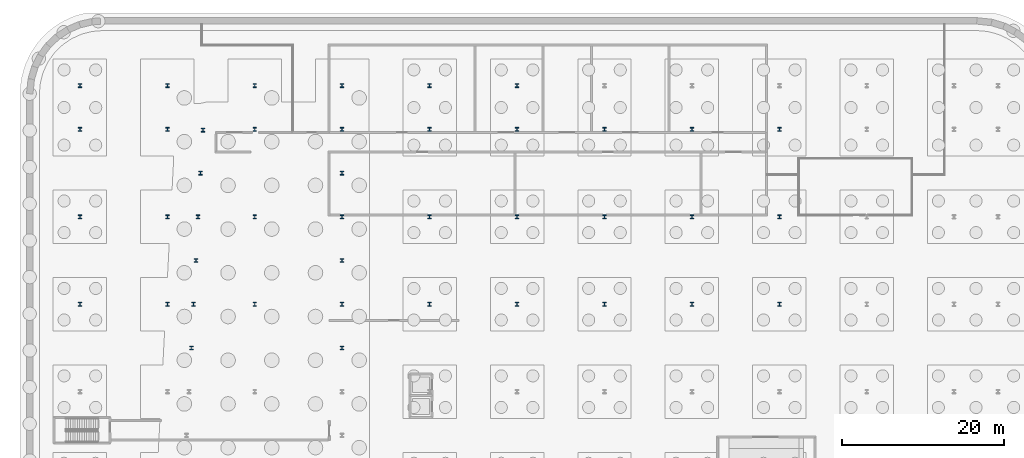
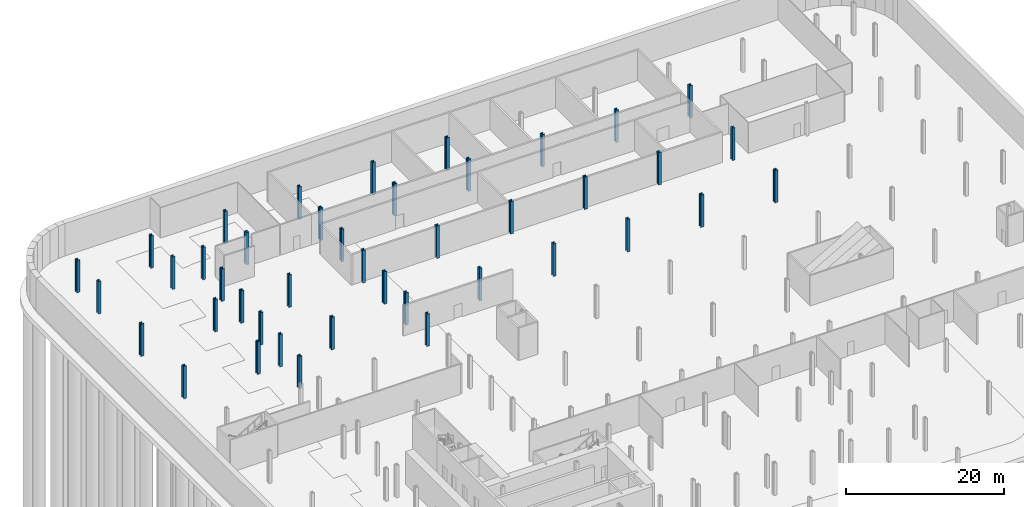
# One storey, part 6 of 23: 42 columns.
"""IFC4 building model written with IfcOpenShell, lengths in metres."""

from ifc_helpers import new_model, si_unit, direction, frame, origin, origin_2d, place, context, subcontext, project, spatial, i_section, extrude, material, material_profile, profile_set, type_object, element, save


model = new_model("IFC4")

# Units and contexts
model_context = context("Model", 3, precision=1e-05, world=origin(), true_north=direction((0.0, 1.0)))
body_context = subcontext(model_context, "Body", "Model", "MODEL_VIEW")
ifc_project = project(units=[si_unit("LENGTHUNIT", "METRE"), si_unit("AREAUNIT", "SQUARE_METRE"), si_unit("VOLUMEUNIT", "CUBIC_METRE"), si_unit("PLANEANGLEUNIT", "RADIAN"), si_unit("MASSUNIT", "GRAM", prefix="KILO")], contexts=[model_context])

# Site, building, storey
site_placement = place(None, origin())
site = spatial("IfcSite", under=ifc_project, at=site_placement, CompositionType="ELEMENT")
building_placement = place(site_placement, origin())
building = spatial("IfcBuilding", under=site, at=building_placement, Name="Kheshtan School and Residences Tower", CompositionType="ELEMENT")
storey_placement = place(building_placement, frame((0.0, 0.0, -15.0)))
storey = spatial("IfcBuildingStorey", under=building, at=storey_placement, Name="B3", CompositionType="ELEMENT", Elevation=-15.0)

# Columns
ifc_material = material(Name="Steel ASTM A992 Grade 50", Category="steel")
ifc_material_profile = material_profile(ifc_material, i_section(OverallWidth=0.424072265625, OverallDepth=0.47412109375, WebThickness=0.047607421875, FlangeThickness=0.0771484375, FilletRadius=0.01416015625, at=origin_2d()), Name="W360x634")
ifc_profile_set = profile_set([ifc_material_profile], Name="Steel ASTM A992 Grade 50")
column_type = type_object("IfcColumnType", Name="Column PC1 W360x634 ASTM A992 Grade 50", PredefinedType="COLUMN", material=ifc_profile_set)
for number, where, z_axis, x_axis, name in (
    (1, (15.199951171875, 78.0, 0.0), (0.0, 0.0, 1.0), (1.0, 0.0, 0.0), "Column P-073"),
    (2, (26.0, 78.0, 0.0), (0.0, 0.0, 1.0), (1.0, 0.0, 0.0), "Column P-074"),
    (3, (36.800048828125, 78.0, 0.0), (0.0, 0.0, 1.0), (1.0, 0.0, 0.0), "Column P-075"),
    (4, (47.60009765625, 78.0, 0.0), (0.0, 0.0, 1.0), (1.0, 0.0, 0.0), "Column P-076"),
    (5, (58.39990234375, 78.0, 0.0), (0.0, 0.0, 1.0), (1.0, 0.0, 0.0), "Column P-077"),
    (6, (69.199951171875, 78.0, 0.0), (0.0, 0.0, 1.0), (1.0, 0.0, 0.0), "Column P-078"),
    (7, (80.0, 78.0, 0.0), (0.0, 0.0, 1.0), (1.0, 0.0, 0.0), "Column P-079"),
    (8, (90.800048828125, 78.0, 0.0), (0.0, 0.0, 1.0), (1.0, 0.0, 0.0), "Column P-080"),
    (9, (101.60009765625, 78.0, 0.0), (0.0, 0.0, 1.0), (1.0, 0.0, 0.0), "Column P-081"),
    (10, (15.199951171875, 88.800048828125, 0.0), (0.0, 0.0, 1.0), (1.0, 0.0, 0.0), "Column P-085"),
    (11, (26.0, 88.800048828125, 0.0), (0.0, 0.0, 1.0), (1.0, 0.0, 0.0), "Column P-086"),
    (12, (36.800048828125, 88.800048828125, 0.0), (0.0, 0.0, 1.0), (1.0, 0.0, 0.0), "Column P-087"),
    (13, (47.60009765625, 88.800048828125, 0.0), (0.0, 0.0, 1.0), (1.0, 0.0, 0.0), "Column P-088"),
    (14, (58.39990234375, 88.800048828125, 0.0), (0.0, 0.0, 1.0), (1.0, 0.0, 0.0), "Column P-089"),
    (15, (69.199951171875, 88.800048828125, 0.0), (0.0, 0.0, 1.0), (1.0, 0.0, 0.0), "Column P-090"),
    (16, (80.0, 88.800048828125, 0.0), (0.0, 0.0, 1.0), (1.0, 0.0, 0.0), "Column P-091"),
    (17, (90.800048828125, 88.800048828125, 0.0), (0.0, 0.0, 1.0), (1.0, 0.0, 0.0), "Column P-092"),
    (18, (101.60009765625, 88.800048828125, 0.0), (0.0, 0.0, 1.0), (1.0, 0.0, 0.0), "Column P-093"),
    (19, (15.199951171875, 99.60009765625, 0.0), (0.0, 0.0, 1.0), (1.0, 0.0, 0.0), "Column P-097"),
    (20, (26.0, 99.60009765625, 0.0), (0.0, 0.0, 1.0), (1.0, 0.0, 0.0), "Column P-098"),
    (21, (36.800048828125, 99.60009765625, 0.0), (0.0, 0.0, 1.0), (1.0, 0.0, 0.0), "Column P-099"),
    (22, (47.60009765625, 99.60009765625, 0.0), (0.0, 0.0, 1.0), (1.0, 0.0, 0.0), "Column P-100"),
    (23, (58.39990234375, 99.60009765625, 0.0), (0.0, 0.0, 1.0), (1.0, 0.0, 0.0), "Column P-101"),
    (24, (69.199951171875, 99.60009765625, 0.0), (0.0, 0.0, 1.0), (1.0, 0.0, 0.0), "Column P-102"),
    (25, (80.0, 99.60009765625, 0.0), (0.0, 0.0, 1.0), (1.0, 0.0, 0.0), "Column P-103"),
    (26, (90.800048828125, 99.60009765625, 0.0), (0.0, 0.0, 1.0), (1.0, 0.0, 0.0), "Column P-104"),
    (27, (101.60009765625, 99.60009765625, 0.0), (0.0, 0.0, 1.0), (1.0, 0.0, 0.0), "Column P-105"),
    (28, (15.199951171875, 105.0, 0.0), (0.0, 0.0, 1.0), (1.0, 0.0, 0.0), "Column P-109"),
    (29, (26.0, 105.0, 0.0), (0.0, 0.0, 1.0), (1.0, 0.0, 0.0), "Column P-110"),
    (30, (36.800048828125, 105.0, 0.0), (0.0, 0.0, 1.0), (1.0, 0.0, 0.0), "Column P-111"),
    (31, (47.60009765625, 105.0, 0.0), (0.0, 0.0, 1.0), (1.0, 0.0, 0.0), "Column P-112"),
    (32, (58.39990234375, 105.0, 0.0), (0.0, 0.0, 1.0), (1.0, 0.0, 0.0), "Column P-113"),
    (33, (69.199951171875, 105.0, 0.0), (0.0, 0.0, 1.0), (1.0, 0.0, 0.0), "Column P-114"),
    (34, (28.9599609375, 72.60009765625, 0.0), (0.0, 0.0, 1.0), (1.0, 0.0, 0.0), "Transfer column X26"),
    (35, (47.60009765625, 72.60009765625, 0.0), (0.0, 0.0, 1.0), (1.0, 0.0, 0.0), "Transfer column X27"),
    (36, (29.239990234375, 78.0, 0.0), (0.0, 0.0, 1.0), (1.0, 0.0, 0.0), "Transfer column X28"),
    (37, (29.530029296875, 83.39990234375, 0.0), (0.0, 0.0, 1.0), (1.0, 0.0, 0.0), "Transfer column X29"),
    (38, (47.60009765625, 83.39990234375, 0.0), (0.0, 0.0, 1.0), (1.0, 0.0, 0.0), "Transfer column X30"),
    (39, (29.81005859375, 88.800048828125, 0.0), (0.0, 0.0, 1.0), (1.0, 0.0, 0.0), "Transfer column X31"),
    (40, (30.090087890625, 94.199951171875, 0.0), (0.0, 0.0, 1.0), (1.0, 0.0, 0.0), "Transfer column X32"),
    (41, (47.60009765625, 94.199951171875, 0.0), (0.0, 0.0, 1.0), (1.0, 0.0, 0.0), "Transfer column X33"),
    (42, (30.419921875, 99.510009765625, 0.0), (0.0, 0.0, 1.0), (1.0, 0.0, 0.0), "Transfer column X34"),
):
    element("IfcColumn", number, at=place(storey_placement, frame(where, z_axis=z_axis, x_axis=x_axis)), inside=storey, type_object=column_type, Name=name, PredefinedType="COLUMN", context=body_context, shape_type="SweptSolid", body=[
        extrude(i_section(OverallWidth=0.424072265625, OverallDepth=0.47412109375, WebThickness=0.047607421875, FlangeThickness=0.0771484375, FilletRadius=0.01416015625, at=origin_2d()), origin(), (0.0, 0.0, 1.0), 5.0),
    ])

save(model, "model.ifc")
